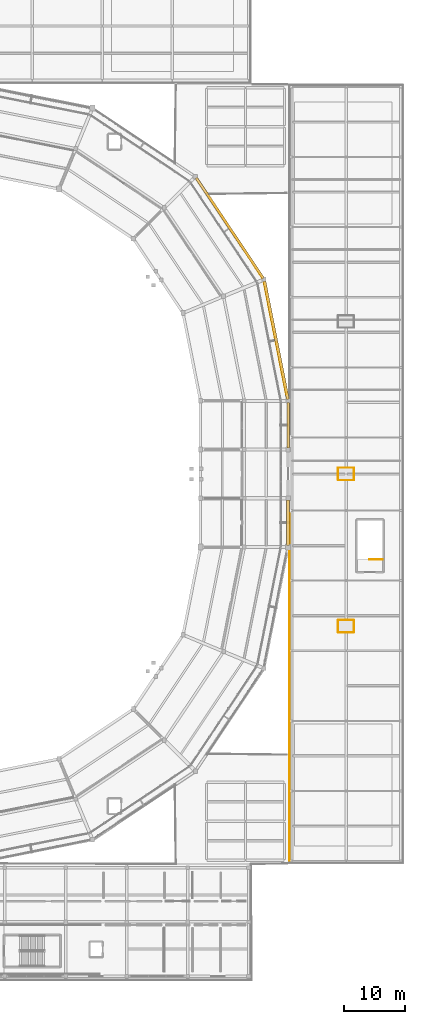
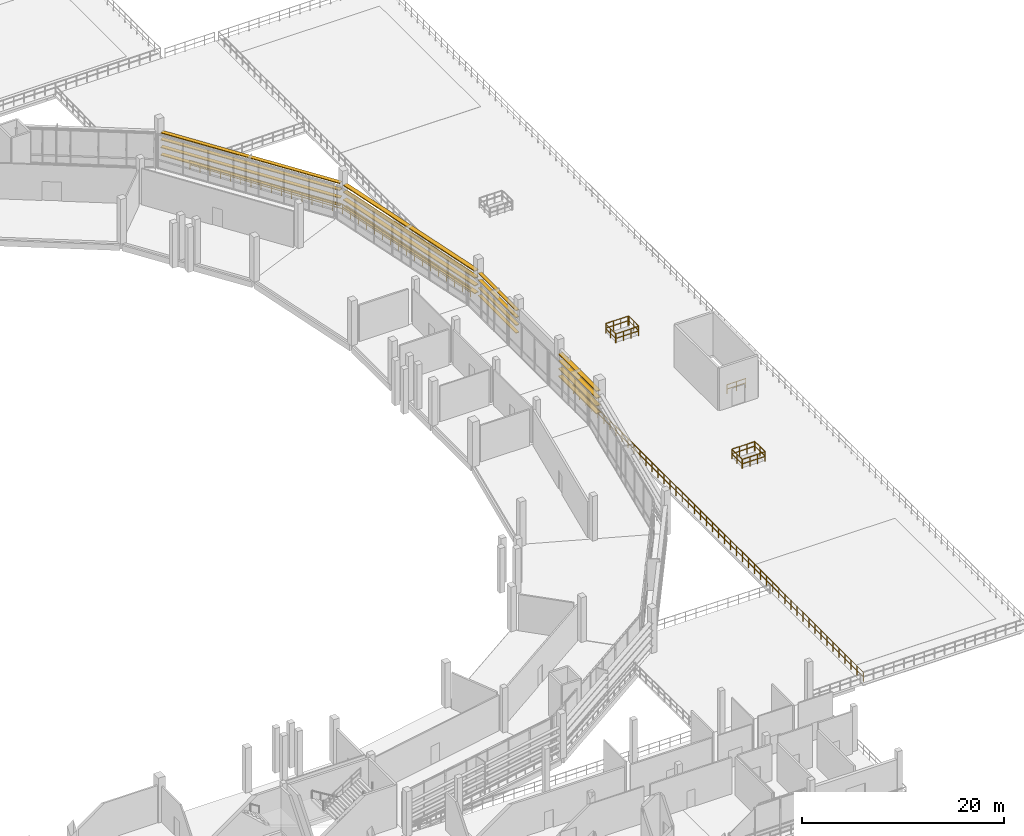
# One storey, part 102 of 111: 16 shading devices, 12 railings.
"""IFC4 building model written with IfcOpenShell, lengths in metres."""

from ifc_helpers import new_model, si_unit, direction, frame, origin, origin_2d, place, context, subcontext, project, spatial, rectangle, circle, extrude, material, layer, layer_set, type_object, element, save


model = new_model("IFC4")

# Units and contexts
model_context = context("Model", 3, precision=1e-05, world=origin(), true_north=direction((0.0, 1.0)))
body_context = subcontext(model_context, "Body", "Model", "MODEL_VIEW")
ifc_project = project(units=[si_unit("LENGTHUNIT", "METRE"), si_unit("AREAUNIT", "SQUARE_METRE"), si_unit("VOLUMEUNIT", "CUBIC_METRE"), si_unit("PLANEANGLEUNIT", "RADIAN"), si_unit("MASSUNIT", "GRAM", prefix="KILO")], contexts=[model_context])

# Site, building, storey
site_placement = place(None, origin())
site = spatial("IfcSite", under=ifc_project, at=site_placement, CompositionType="ELEMENT")
building_placement = place(site_placement, origin())
building = spatial("IfcBuilding", under=site, at=building_placement, Name="Candeia Ridge Stadium", CompositionType="ELEMENT")
storey_placement = place(building_placement, frame((0.0, 0.0, 16.199951171875)))
storey = spatial("IfcBuildingStorey", under=building, at=storey_placement, Name="L03", CompositionType="ELEMENT", Elevation=16.199951171875)

# Railings
ifc_material_1 = material(Name="Laminated Glass & Stainless Steel", Category="steel")
ifc_layer_1 = layer(ifc_material_1, 0.080078125, Name="Laminated Glass & Stainless Steel", Category="steel")
ifc_layer_set_1 = layer_set([ifc_layer_1], Name="Laminated Glass & Stainless Steel")
railing_type_1 = type_object("IfcRailingType", Name="Planted Terrace Glass-Steel Guard 1150", PredefinedType="BALUSTRADE", material=ifc_layer_set_1)
railing_1_placement = place(storey_placement, frame((201.22998046875, 56.97998046875, 0.0)))
element("IfcRailing", 1, at=railing_1_placement, inside=storey, type_object=railing_type_1, Name="Skylight perimeter safety balustrade GR-SKY-01-1", PredefinedType="BALUSTRADE", context=body_context, shape_type="SweptSolid", body=[
    extrude(circle(Radius=0.02392578125, at=origin_2d()), frame((0.0, 0.0, 1.1259765625), z_axis=(1.0, 0.0, 0.0), x_axis=(0.0, 1.0, 0.0)), (0.0, 0.0, 1.0), 2.5400390625),
    extrude(circle(Radius=0.02392578125, at=origin_2d()), frame((0.0, 0.0, 0.574951171875), z_axis=(1.0, 0.0, 0.0), x_axis=(0.0, 1.0, 0.0)), (0.0, 0.0, 1.0), 2.5400390625),
    extrude(circle(Radius=0.02099609375, at=origin_2d()), origin(), (0.0, 0.0, 1.0), 1.101806640625),
    extrude(circle(Radius=0.02099609375, at=origin_2d()), frame((0.8466796875, 0.0, 0.0)), (0.0, 0.0, 1.0), 1.101806640625),
    extrude(circle(Radius=0.02099609375, at=origin_2d()), frame((1.693359375, 0.0, 0.0)), (0.0, 0.0, 1.0), 1.101806640625),
    extrude(circle(Radius=0.02099609375, at=origin_2d()), frame((2.5400390625, 0.0, 0.0)), (0.0, 0.0, 1.0), 1.101806640625),
])
railing_2_placement = place(storey_placement, frame((203.820068359375, 57.030029296875, 0.0)))
element("IfcRailing", 2, at=railing_2_placement, inside=storey, type_object=railing_type_1, Name="Skylight perimeter safety balustrade GR-SKY-01-2", PredefinedType="BALUSTRADE", context=body_context, shape_type="SweptSolid", body=[
    extrude(circle(Radius=0.02392578125, at=origin_2d()), frame((0.0, 0.0, 1.1259765625), z_axis=(0.0, 1.0, 0.0), x_axis=(-1.0, 0.0, 0.0)), (0.0, 0.0, 1.0), 1.93994140625),
    extrude(circle(Radius=0.02392578125, at=origin_2d()), frame((0.0, 0.0, 0.574951171875), z_axis=(0.0, 1.0, 0.0), x_axis=(-1.0, 0.0, 0.0)), (0.0, 0.0, 1.0), 1.93994140625),
    extrude(circle(Radius=0.02099609375, at=origin_2d()), origin(), (0.0, 0.0, 1.0), 1.101806640625),
    extrude(circle(Radius=0.02099609375, at=origin_2d()), frame((0.0, 0.969970703125, 0.0)), (0.0, 0.0, 1.0), 1.101806640625),
    extrude(circle(Radius=0.02099609375, at=origin_2d()), frame((0.0, 1.93994140625, 0.0)), (0.0, 0.0, 1.0), 1.101806640625),
])
railing_3_placement = place(storey_placement, frame((203.77001953125, 59.02001953125, 0.0)))
element("IfcRailing", 3, at=railing_3_placement, inside=storey, type_object=railing_type_1, Name="Skylight perimeter safety balustrade GR-SKY-01-3", PredefinedType="BALUSTRADE", context=body_context, shape_type="SweptSolid", body=[
    extrude(circle(Radius=0.02392578125, at=origin_2d()), frame((0.0, 0.0, 1.1259765625), z_axis=(-1.0, 0.0, 0.0), x_axis=(0.0, -1.0, 0.0)), (0.0, 0.0, 1.0), 2.5400390625),
    extrude(circle(Radius=0.02392578125, at=origin_2d()), frame((0.0, 0.0, 0.574951171875), z_axis=(-1.0, 0.0, 0.0), x_axis=(0.0, -1.0, 0.0)), (0.0, 0.0, 1.0), 2.5400390625),
    extrude(circle(Radius=0.02099609375, at=origin_2d()), origin(), (0.0, 0.0, 1.0), 1.101806640625),
    extrude(circle(Radius=0.02099609375, at=origin_2d()), frame((-0.8466796875, 0.0, 0.0)), (0.0, 0.0, 1.0), 1.101806640625),
    extrude(circle(Radius=0.02099609375, at=origin_2d()), frame((-1.693359375, 0.0, 0.0)), (0.0, 0.0, 1.0), 1.101806640625),
    extrude(circle(Radius=0.02099609375, at=origin_2d()), frame((-2.5400390625, 0.0, 0.0)), (0.0, 0.0, 1.0), 1.101806640625),
])
railing_4_placement = place(storey_placement, frame((201.179931640625, 58.969970703125, 0.0)))
element("IfcRailing", 4, at=railing_4_placement, inside=storey, type_object=railing_type_1, Name="Skylight perimeter safety balustrade GR-SKY-01-4", PredefinedType="BALUSTRADE", context=body_context, shape_type="SweptSolid", body=[
    extrude(circle(Radius=0.02392578125, at=origin_2d()), frame((0.0, 0.0, 1.1259765625), z_axis=(0.0, -1.0, 0.0), x_axis=(1.0, 0.0, 0.0)), (0.0, 0.0, 1.0), 1.93994140625),
    extrude(circle(Radius=0.02392578125, at=origin_2d()), frame((0.0, 0.0, 0.574951171875), z_axis=(0.0, -1.0, 0.0), x_axis=(1.0, 0.0, 0.0)), (0.0, 0.0, 1.0), 1.93994140625),
    extrude(circle(Radius=0.02099609375, at=origin_2d()), origin(), (0.0, 0.0, 1.0), 1.101806640625),
    extrude(circle(Radius=0.02099609375, at=origin_2d()), frame((0.0, -0.969970703125, 0.0)), (0.0, 0.0, 1.0), 1.101806640625),
    extrude(circle(Radius=0.02099609375, at=origin_2d()), frame((0.0, -1.93994140625, 0.0)), (0.0, 0.0, 1.0), 1.101806640625),
])
railing_5_placement = place(storey_placement, frame((201.22998046875, 81.97998046875, 0.0)))
element("IfcRailing", 5, at=railing_5_placement, inside=storey, type_object=railing_type_1, Name="Skylight perimeter safety balustrade GR-SKY-02-1", PredefinedType="BALUSTRADE", context=body_context, shape_type="SweptSolid", body=[
    extrude(circle(Radius=0.02392578125, at=origin_2d()), frame((0.0, 0.0, 1.1259765625), z_axis=(1.0, 0.0, 0.0), x_axis=(0.0, 1.0, 0.0)), (0.0, 0.0, 1.0), 2.5400390625),
    extrude(circle(Radius=0.02392578125, at=origin_2d()), frame((0.0, 0.0, 0.574951171875), z_axis=(1.0, 0.0, 0.0), x_axis=(0.0, 1.0, 0.0)), (0.0, 0.0, 1.0), 2.5400390625),
    extrude(circle(Radius=0.02099609375, at=origin_2d()), origin(), (0.0, 0.0, 1.0), 1.101806640625),
    extrude(circle(Radius=0.02099609375, at=origin_2d()), frame((0.8466796875, 0.0, 0.0)), (0.0, 0.0, 1.0), 1.101806640625),
    extrude(circle(Radius=0.02099609375, at=origin_2d()), frame((1.693359375, 0.0, 0.0)), (0.0, 0.0, 1.0), 1.101806640625),
    extrude(circle(Radius=0.02099609375, at=origin_2d()), frame((2.5400390625, 0.0, 0.0)), (0.0, 0.0, 1.0), 1.101806640625),
])
railing_6_placement = place(storey_placement, frame((203.820068359375, 82.030029296875, 0.0)))
element("IfcRailing", 6, at=railing_6_placement, inside=storey, type_object=railing_type_1, Name="Skylight perimeter safety balustrade GR-SKY-02-2", PredefinedType="BALUSTRADE", context=body_context, shape_type="SweptSolid", body=[
    extrude(circle(Radius=0.02392578125, at=origin_2d()), frame((0.0, 0.0, 1.1259765625), z_axis=(0.0, 1.0, 0.0), x_axis=(-1.0, 0.0, 0.0)), (0.0, 0.0, 1.0), 1.93994140625),
    extrude(circle(Radius=0.02392578125, at=origin_2d()), frame((0.0, 0.0, 0.574951171875), z_axis=(0.0, 1.0, 0.0), x_axis=(-1.0, 0.0, 0.0)), (0.0, 0.0, 1.0), 1.93994140625),
    extrude(circle(Radius=0.02099609375, at=origin_2d()), origin(), (0.0, 0.0, 1.0), 1.101806640625),
    extrude(circle(Radius=0.02099609375, at=origin_2d()), frame((0.0, 0.969970703125, 0.0)), (0.0, 0.0, 1.0), 1.101806640625),
    extrude(circle(Radius=0.02099609375, at=origin_2d()), frame((0.0, 1.93994140625, 0.0)), (0.0, 0.0, 1.0), 1.101806640625),
])
railing_7_placement = place(storey_placement, frame((203.77001953125, 84.02001953125, 0.0)))
element("IfcRailing", 7, at=railing_7_placement, inside=storey, type_object=railing_type_1, Name="Skylight perimeter safety balustrade GR-SKY-02-3", PredefinedType="BALUSTRADE", context=body_context, shape_type="SweptSolid", body=[
    extrude(circle(Radius=0.02392578125, at=origin_2d()), frame((0.0, 0.0, 1.1259765625), z_axis=(-1.0, 0.0, 0.0), x_axis=(0.0, -1.0, 0.0)), (0.0, 0.0, 1.0), 2.5400390625),
    extrude(circle(Radius=0.02392578125, at=origin_2d()), frame((0.0, 0.0, 0.574951171875), z_axis=(-1.0, 0.0, 0.0), x_axis=(0.0, -1.0, 0.0)), (0.0, 0.0, 1.0), 2.5400390625),
    extrude(circle(Radius=0.02099609375, at=origin_2d()), origin(), (0.0, 0.0, 1.0), 1.101806640625),
    extrude(circle(Radius=0.02099609375, at=origin_2d()), frame((-0.8466796875, 0.0, 0.0)), (0.0, 0.0, 1.0), 1.101806640625),
    extrude(circle(Radius=0.02099609375, at=origin_2d()), frame((-1.693359375, 0.0, 0.0)), (0.0, 0.0, 1.0), 1.101806640625),
    extrude(circle(Radius=0.02099609375, at=origin_2d()), frame((-2.5400390625, 0.0, 0.0)), (0.0, 0.0, 1.0), 1.101806640625),
])
railing_8_placement = place(storey_placement, frame((201.179931640625, 83.969970703125, 0.0)))
element("IfcRailing", 8, at=railing_8_placement, inside=storey, type_object=railing_type_1, Name="Skylight perimeter safety balustrade GR-SKY-02-4", PredefinedType="BALUSTRADE", context=body_context, shape_type="SweptSolid", body=[
    extrude(circle(Radius=0.02392578125, at=origin_2d()), frame((0.0, 0.0, 1.1259765625), z_axis=(0.0, -1.0, 0.0), x_axis=(1.0, 0.0, 0.0)), (0.0, 0.0, 1.0), 1.93994140625),
    extrude(circle(Radius=0.02392578125, at=origin_2d()), frame((0.0, 0.0, 0.574951171875), z_axis=(0.0, -1.0, 0.0), x_axis=(1.0, 0.0, 0.0)), (0.0, 0.0, 1.0), 1.93994140625),
    extrude(circle(Radius=0.02099609375, at=origin_2d()), origin(), (0.0, 0.0, 1.0), 1.101806640625),
    extrude(circle(Radius=0.02099609375, at=origin_2d()), frame((0.0, -0.969970703125, 0.0)), (0.0, 0.0, 1.0), 1.101806640625),
    extrude(circle(Radius=0.02099609375, at=origin_2d()), frame((0.0, -1.93994140625, 0.0)), (0.0, 0.0, 1.0), 1.101806640625),
])
railing_9_placement = place(storey_placement, frame((193.199951171875, 19.199951171875, 0.0)))
element("IfcRailing", 9, at=railing_9_placement, inside=storey, type_object=railing_type_1, Name="Terrace perimeter balustrade GR-TER-184", PredefinedType="BALUSTRADE", context=body_context, shape_type="SweptSolid", body=[
    extrude(circle(Radius=0.02392578125, at=origin_2d()), frame((0.0, 0.0, 1.1259765625), z_axis=(0.0, 1.0, 0.0), x_axis=(-1.0, 0.0, 0.0)), (0.0, 0.0, 1.0), 57.300048828125),
    extrude(circle(Radius=0.02392578125, at=origin_2d()), frame((0.0, 0.0, 0.574951171875), z_axis=(0.0, 1.0, 0.0), x_axis=(-1.0, 0.0, 0.0)), (0.0, 0.0, 1.0), 57.300048828125),
    extrude(circle(Radius=0.02099609375, at=origin_2d()), origin(), (0.0, 0.0, 1.0), 1.101806640625),
    extrude(circle(Radius=0.02099609375, at=origin_2d()), frame((0.0, 1.19384765625, 0.0)), (0.0, 0.0, 1.0), 1.101806640625),
    extrude(circle(Radius=0.02099609375, at=origin_2d()), frame((0.0, 2.387451171875, 0.0)), (0.0, 0.0, 1.0), 1.101806640625),
    extrude(circle(Radius=0.02099609375, at=origin_2d()), frame((0.0, 3.581298828125, 0.0)), (0.0, 0.0, 1.0), 1.101806640625),
    extrude(circle(Radius=0.02099609375, at=origin_2d()), frame((0.0, 4.77490234375, 0.0)), (0.0, 0.0, 1.0), 1.101806640625),
    extrude(circle(Radius=0.02099609375, at=origin_2d()), frame((0.0, 5.96875, 0.0)), (0.0, 0.0, 1.0), 1.101806640625),
    extrude(circle(Radius=0.02099609375, at=origin_2d()), frame((0.0, 7.16259765625, 0.0)), (0.0, 0.0, 1.0), 1.101806640625),
    extrude(circle(Radius=0.02099609375, at=origin_2d()), frame((0.0, 8.356201171875, 0.0)), (0.0, 0.0, 1.0), 1.101806640625),
    extrude(circle(Radius=0.02099609375, at=origin_2d()), frame((0.0, 9.550048828125, 0.0)), (0.0, 0.0, 1.0), 1.101806640625),
    extrude(circle(Radius=0.02099609375, at=origin_2d()), frame((0.0, 10.74365234375, 0.0)), (0.0, 0.0, 1.0), 1.101806640625),
    extrude(circle(Radius=0.02099609375, at=origin_2d()), frame((0.0, 11.9375, 0.0)), (0.0, 0.0, 1.0), 1.101806640625),
    extrude(circle(Radius=0.02099609375, at=origin_2d()), frame((0.0, 13.13134765625, 0.0)), (0.0, 0.0, 1.0), 1.101806640625),
    extrude(circle(Radius=0.02099609375, at=origin_2d()), frame((0.0, 14.324951171875, 0.0)), (0.0, 0.0, 1.0), 1.101806640625),
    extrude(circle(Radius=0.02099609375, at=origin_2d()), frame((0.0, 15.518798828125, 0.0)), (0.0, 0.0, 1.0), 1.101806640625),
    extrude(circle(Radius=0.02099609375, at=origin_2d()), frame((0.0, 16.71240234375, 0.0)), (0.0, 0.0, 1.0), 1.101806640625),
    extrude(circle(Radius=0.02099609375, at=origin_2d()), frame((0.0, 17.90625, 0.0)), (0.0, 0.0, 1.0), 1.101806640625),
    extrude(circle(Radius=0.02099609375, at=origin_2d()), frame((0.0, 19.10009765625, 0.0)), (0.0, 0.0, 1.0), 1.101806640625),
    extrude(circle(Radius=0.02099609375, at=origin_2d()), frame((0.0, 20.293701171875, 0.0)), (0.0, 0.0, 1.0), 1.101806640625),
    extrude(circle(Radius=0.02099609375, at=origin_2d()), frame((0.0, 21.487548828125, 0.0)), (0.0, 0.0, 1.0), 1.101806640625),
    extrude(circle(Radius=0.02099609375, at=origin_2d()), frame((0.0, 22.68115234375, 0.0)), (0.0, 0.0, 1.0), 1.101806640625),
    extrude(circle(Radius=0.02099609375, at=origin_2d()), frame((0.0, 23.875, 0.0)), (0.0, 0.0, 1.0), 1.101806640625),
    extrude(circle(Radius=0.02099609375, at=origin_2d()), frame((0.0, 25.06884765625, 0.0)), (0.0, 0.0, 1.0), 1.101806640625),
    extrude(circle(Radius=0.02099609375, at=origin_2d()), frame((0.0, 26.262451171875, 0.0)), (0.0, 0.0, 1.0), 1.101806640625),
    extrude(circle(Radius=0.02099609375, at=origin_2d()), frame((0.0, 27.456298828125, 0.0)), (0.0, 0.0, 1.0), 1.101806640625),
    extrude(circle(Radius=0.02099609375, at=origin_2d()), frame((0.0, 28.64990234375, 0.0)), (0.0, 0.0, 1.0), 1.101806640625),
    extrude(circle(Radius=0.02099609375, at=origin_2d()), frame((0.0, 29.84375, 0.0)), (0.0, 0.0, 1.0), 1.101806640625),
    extrude(circle(Radius=0.02099609375, at=origin_2d()), frame((0.0, 31.03759765625, 0.0)), (0.0, 0.0, 1.0), 1.101806640625),
    extrude(circle(Radius=0.02099609375, at=origin_2d()), frame((0.0, 32.231201171875, 0.0)), (0.0, 0.0, 1.0), 1.101806640625),
    extrude(circle(Radius=0.02099609375, at=origin_2d()), frame((0.0, 33.425048828125, 0.0)), (0.0, 0.0, 1.0), 1.101806640625),
    extrude(circle(Radius=0.02099609375, at=origin_2d()), frame((0.0, 34.618896484375, 0.0)), (0.0, 0.0, 1.0), 1.101806640625),
    extrude(circle(Radius=0.02099609375, at=origin_2d()), frame((0.0, 35.8125, 0.0)), (0.0, 0.0, 1.0), 1.101806640625),
    extrude(circle(Radius=0.02099609375, at=origin_2d()), frame((0.0, 37.00634765625, 0.0)), (0.0, 0.0, 1.0), 1.101806640625),
    extrude(circle(Radius=0.02099609375, at=origin_2d()), frame((0.0, 38.199951171875, 0.0)), (0.0, 0.0, 1.0), 1.101806640625),
    extrude(circle(Radius=0.02099609375, at=origin_2d()), frame((0.0, 39.393798828125, 0.0)), (0.0, 0.0, 1.0), 1.101806640625),
    extrude(circle(Radius=0.02099609375, at=origin_2d()), frame((0.0, 40.587646484375, 0.0)), (0.0, 0.0, 1.0), 1.101806640625),
    extrude(circle(Radius=0.02099609375, at=origin_2d()), frame((0.0, 41.78125, 0.0)), (0.0, 0.0, 1.0), 1.101806640625),
    extrude(circle(Radius=0.02099609375, at=origin_2d()), frame((0.0, 42.97509765625, 0.0)), (0.0, 0.0, 1.0), 1.101806640625),
    extrude(circle(Radius=0.02099609375, at=origin_2d()), frame((0.0, 44.168701171875, 0.0)), (0.0, 0.0, 1.0), 1.101806640625),
    extrude(circle(Radius=0.02099609375, at=origin_2d()), frame((0.0, 45.362548828125, 0.0)), (0.0, 0.0, 1.0), 1.101806640625),
    extrude(circle(Radius=0.02099609375, at=origin_2d()), frame((0.0, 46.556396484375, 0.0)), (0.0, 0.0, 1.0), 1.101806640625),
    extrude(circle(Radius=0.02099609375, at=origin_2d()), frame((0.0, 47.75, 0.0)), (0.0, 0.0, 1.0), 1.101806640625),
    extrude(circle(Radius=0.02099609375, at=origin_2d()), frame((0.0, 48.94384765625, 0.0)), (0.0, 0.0, 1.0), 1.101806640625),
    extrude(circle(Radius=0.02099609375, at=origin_2d()), frame((0.0, 50.137451171875, 0.0)), (0.0, 0.0, 1.0), 1.101806640625),
    extrude(circle(Radius=0.02099609375, at=origin_2d()), frame((0.0, 51.331298828125, 0.0)), (0.0, 0.0, 1.0), 1.101806640625),
    extrude(circle(Radius=0.02099609375, at=origin_2d()), frame((0.0, 52.525146484375, 0.0)), (0.0, 0.0, 1.0), 1.101806640625),
    extrude(circle(Radius=0.02099609375, at=origin_2d()), frame((0.0, 53.71875, 0.0)), (0.0, 0.0, 1.0), 1.101806640625),
    extrude(circle(Radius=0.02099609375, at=origin_2d()), frame((0.0, 54.91259765625, 0.0)), (0.0, 0.0, 1.0), 1.101806640625),
    extrude(circle(Radius=0.02099609375, at=origin_2d()), frame((0.0, 56.106201171875, 0.0)), (0.0, 0.0, 1.0), 1.101806640625),
    extrude(circle(Radius=0.02099609375, at=origin_2d()), frame((0.0, 57.300048828125, 0.0)), (0.0, 0.0, 1.0), 1.101806640625),
])
ifc_material_2 = material(Name="Galvanized Powder-Coated Steel", Category="steel")
ifc_layer_2 = layer(ifc_material_2, 0.074951171875, Name="Galvanized Powder-Coated Steel", Category="steel")
ifc_layer_set_2 = layer_set([ifc_layer_2], Name="Galvanized Powder-Coated Steel")
railing_type_2 = type_object("IfcRailingType", Name="Spectator Bowl Front Guardrail 1120", PredefinedType="GUARDRAIL", material=ifc_layer_set_2)
railing_10_placement = place(storey_placement, frame((179.686767578125, 129.04443359375, 0.0)))
element("IfcRailing", 10, at=railing_10_placement, inside=storey, type_object=railing_type_2, Name="Deck edge safety guardrail GR-DE-L03-0157", PredefinedType="GUARDRAIL", context=body_context, shape_type="SweptSolid", body=[
    extrude(circle(Radius=0.02392578125, at=origin_2d()), frame((0.0, 0.0, 1.09619140625), z_axis=(0.547972672169, -0.836496234634, 0.0), x_axis=(0.836496234634, 0.547972672169, 0.0)), (0.0, 0.0, 1.0), 16.928466796875),
    extrude(circle(Radius=0.02392578125, at=origin_2d()), frame((0.0, 0.0, 0.56005859375), z_axis=(0.547972672169, -0.836496234634, 0.0), x_axis=(0.836496234634, 0.547972672169, 0.0)), (0.0, 0.0, 1.0), 16.928466796875),
    extrude(circle(Radius=0.02099609375, at=origin_2d()), origin(), (0.0, 0.0, 1.0), 1.072021484375),
    extrude(circle(Radius=0.02099609375, at=origin_2d()), frame((0.618408203125, -0.944091796875, 0.0)), (0.0, 0.0, 1.0), 1.072021484375),
    extrude(circle(Radius=0.02099609375, at=origin_2d()), frame((1.23681640625, -1.88818359375, 0.0)), (0.0, 0.0, 1.0), 1.072021484375),
    extrude(circle(Radius=0.02099609375, at=origin_2d()), frame((1.855224609375, -2.83203125, 0.0)), (0.0, 0.0, 1.0), 1.072021484375),
    extrude(circle(Radius=0.02099609375, at=origin_2d()), frame((2.4736328125, -3.776123046875, 0.0)), (0.0, 0.0, 1.0), 1.072021484375),
    extrude(circle(Radius=0.02099609375, at=origin_2d()), frame((3.092041015625, -4.72021484375, 0.0)), (0.0, 0.0, 1.0), 1.072021484375),
    extrude(circle(Radius=0.02099609375, at=origin_2d()), frame((3.71044921875, -5.664306640625, 0.0)), (0.0, 0.0, 1.0), 1.072021484375),
    extrude(circle(Radius=0.02099609375, at=origin_2d()), frame((4.328857421875, -6.6083984375, 0.0)), (0.0, 0.0, 1.0), 1.072021484375),
    extrude(circle(Radius=0.02099609375, at=origin_2d()), frame((4.947509765625, -7.55224609375, 0.0)), (0.0, 0.0, 1.0), 1.072021484375),
    extrude(circle(Radius=0.02099609375, at=origin_2d()), frame((5.56591796875, -8.496337890625, 0.0)), (0.0, 0.0, 1.0), 1.072021484375),
    extrude(circle(Radius=0.02099609375, at=origin_2d()), frame((6.184326171875, -9.4404296875, 0.0)), (0.0, 0.0, 1.0), 1.072021484375),
    extrude(circle(Radius=0.02099609375, at=origin_2d()), frame((6.802734375, -10.384521484375, 0.0)), (0.0, 0.0, 1.0), 1.072021484375),
    extrude(circle(Radius=0.02099609375, at=origin_2d()), frame((7.421142578125, -11.32861328125, 0.0)), (0.0, 0.0, 1.0), 1.072021484375),
    extrude(circle(Radius=0.02099609375, at=origin_2d()), frame((8.03955078125, -12.2724609375, 0.0)), (0.0, 0.0, 1.0), 1.072021484375),
    extrude(circle(Radius=0.02099609375, at=origin_2d()), frame((8.657958984375, -13.216552734375, 0.0)), (0.0, 0.0, 1.0), 1.072021484375),
    extrude(circle(Radius=0.02099609375, at=origin_2d()), frame((9.2763671875, -14.16064453125, 0.0)), (0.0, 0.0, 1.0), 1.072021484375),
])
railing_11_placement = place(storey_placement, frame((188.963134765625, 114.8837890625, 0.0)))
element("IfcRailing", 11, at=railing_11_placement, inside=storey, type_object=railing_type_2, Name="Deck edge safety guardrail GR-DE-L03-0158", PredefinedType="GUARDRAIL", context=body_context, shape_type="SweptSolid", body=[
    extrude(circle(Radius=0.02392578125, at=origin_2d()), frame((0.0, 0.0, 1.09619140625), z_axis=(0.195091839133, -0.980784978629, 0.0), x_axis=(0.980784978629, 0.195091839133, 0.0)), (0.0, 0.0, 1.0), 19.16162109375),
    extrude(circle(Radius=0.02392578125, at=origin_2d()), frame((0.0, 0.0, 0.56005859375), z_axis=(0.195091839133, -0.980784978629, 0.0), x_axis=(0.980784978629, 0.195091839133, 0.0)), (0.0, 0.0, 1.0), 19.16162109375),
    extrude(circle(Radius=0.02099609375, at=origin_2d()), origin(), (0.0, 0.0, 1.0), 1.072021484375),
    extrude(circle(Radius=0.02099609375, at=origin_2d()), frame((0.233642578125, -1.174560546875, 0.0)), (0.0, 0.0, 1.0), 1.072021484375),
    extrude(circle(Radius=0.02099609375, at=origin_2d()), frame((0.46728515625, -2.34912109375, 0.0)), (0.0, 0.0, 1.0), 1.072021484375),
    extrude(circle(Radius=0.02099609375, at=origin_2d()), frame((0.700927734375, -3.523681640625, 0.0)), (0.0, 0.0, 1.0), 1.072021484375),
    extrude(circle(Radius=0.02099609375, at=origin_2d()), frame((0.9345703125, -4.6982421875, 0.0)), (0.0, 0.0, 1.0), 1.072021484375),
    extrude(circle(Radius=0.02099609375, at=origin_2d()), frame((1.168212890625, -5.873046875, 0.0)), (0.0, 0.0, 1.0), 1.072021484375),
    extrude(circle(Radius=0.02099609375, at=origin_2d()), frame((1.40185546875, -7.047607421875, 0.0)), (0.0, 0.0, 1.0), 1.072021484375),
    extrude(circle(Radius=0.02099609375, at=origin_2d()), frame((1.635498046875, -8.22216796875, 0.0)), (0.0, 0.0, 1.0), 1.072021484375),
    extrude(circle(Radius=0.02099609375, at=origin_2d()), frame((1.869140625, -9.396728515625, 0.0)), (0.0, 0.0, 1.0), 1.072021484375),
    extrude(circle(Radius=0.02099609375, at=origin_2d()), frame((2.102783203125, -10.5712890625, 0.0)), (0.0, 0.0, 1.0), 1.072021484375),
    extrude(circle(Radius=0.02099609375, at=origin_2d()), frame((2.33642578125, -11.745849609375, 0.0)), (0.0, 0.0, 1.0), 1.072021484375),
    extrude(circle(Radius=0.02099609375, at=origin_2d()), frame((2.570068359375, -12.92041015625, 0.0)), (0.0, 0.0, 1.0), 1.072021484375),
    extrude(circle(Radius=0.02099609375, at=origin_2d()), frame((2.8037109375, -14.09521484375, 0.0)), (0.0, 0.0, 1.0), 1.072021484375),
    extrude(circle(Radius=0.02099609375, at=origin_2d()), frame((3.037353515625, -15.269775390625, 0.0)), (0.0, 0.0, 1.0), 1.072021484375),
    extrude(circle(Radius=0.02099609375, at=origin_2d()), frame((3.27099609375, -16.4443359375, 0.0)), (0.0, 0.0, 1.0), 1.072021484375),
    extrude(circle(Radius=0.02099609375, at=origin_2d()), frame((3.504638671875, -17.618896484375, 0.0)), (0.0, 0.0, 1.0), 1.072021484375),
    extrude(circle(Radius=0.02099609375, at=origin_2d()), frame((3.73828125, -18.79345703125, 0.0)), (0.0, 0.0, 1.0), 1.072021484375),
])
ifc_layer_3 = layer(ifc_material_2, 0.06005859375, Name="Galvanized Powder-Coated Steel", Category="steel")
ifc_layer_set_3 = layer_set([ifc_layer_3], Name="Galvanized Powder-Coated Steel")
railing_type_3 = type_object("IfcRailingType", Name="Stair Well Guardrail 1100", PredefinedType="GUARDRAIL", material=ifc_layer_set_3)
railing_12_placement = place(storey_placement, frame((208.5, 68.949951171875, 0.0)))
element("IfcRailing", 12, at=railing_12_placement, inside=storey, type_object=railing_type_3, Name="L03 ST16 top well guard 1", PredefinedType="GUARDRAIL", context=body_context, shape_type="SweptSolid", body=[
    extrude(circle(Radius=0.02392578125, at=origin_2d()), frame((0.0, 0.0, 1.076171875), z_axis=(-1.0, 0.0, 0.0), x_axis=(0.0, -1.0, 0.0)), (0.0, 0.0, 1.0), 2.14990234375),
    extrude(circle(Radius=0.02392578125, at=origin_2d()), frame((0.0, 0.0, 0.550048828125), z_axis=(-1.0, 0.0, 0.0), x_axis=(0.0, -1.0, 0.0)), (0.0, 0.0, 1.0), 2.14990234375),
    extrude(circle(Radius=0.02099609375, at=origin_2d()), origin(), (0.0, 0.0, 1.0), 1.052001953125),
    extrude(circle(Radius=0.02099609375, at=origin_2d()), frame((-1.074951171875, 0.0, 0.0)), (0.0, 0.0, 1.0), 1.052001953125),
    extrude(circle(Radius=0.02099609375, at=origin_2d()), frame((-2.14990234375, 0.0, 0.0)), (0.0, 0.0, 1.0), 1.052001953125),
])

# Shading devices
ifc_material_3 = material(Name="Aluminium Anodized Warm Bronze", Category="aluminium")
shading_device_type_1 = type_object("IfcShadingDeviceType", Name="Weathered Bronze Horizontal Solar Rib 380x85", PredefinedType="JALOUSIE", material=ifc_material_3)
for number, where, z_axis, x_axis, name in (
    (13, (193.0, 91.0, 0.891357421875), (0.0, 0.0, 1.0), (0.0, 1.0, 0.0), "Weathered bronze horizontal solar rib L03 bay 32-1"),
    (14, (193.0, 91.0, 1.825439453125), (0.0, 0.0, 1.0), (0.0, 1.0, 0.0), "Weathered bronze horizontal solar rib L03 bay 32-2"),
    (15, (193.0, 91.0, 2.75927734375), (0.0, 0.0, 1.0), (0.0, 1.0, 0.0), "Weathered bronze horizontal solar rib L03 bay 32-3"),
    (16, (193.0, 91.0, 3.608154296875), (0.0, 0.0, 1.0), (0.0, 1.0, 0.0), "Weathered bronze horizontal solar rib L03 bay 32-4"),
):
    element("IfcShadingDevice", number, at=place(storey_placement, frame(where, z_axis=z_axis, x_axis=x_axis)), inside=storey, type_object=shading_device_type_1, Name=name, PredefinedType="JALOUSIE", context=body_context, shape_type="SweptSolid", body=[
        extrude(rectangle(XDim=7.5, YDim=0.3798828125, at=origin_2d()), origin(), (0.0, 0.0, 1.0), 0.0849609375),
    ])
shading_device_type_2 = type_object("IfcShadingDeviceType", Name="Weathered Bronze Horizontal Solar Rib 440x95", PredefinedType="JALOUSIE", material=ifc_material_3)
for number, where, z_axis, x_axis, name in (
    (17, (183.40576171875, 123.33447265625, 0.87744140625), (0.0, 0.0, 1.0), (-0.555570211063, 0.831469626973, 0.0), "Weathered bronze horizontal solar rib L03 bay 34-1"),
    (18, (183.40576171875, 123.33447265625, 1.802734375), (0.0, 0.0, 1.0), (-0.555570211063, 0.831469626973, 0.0), "Weathered bronze horizontal solar rib L03 bay 34-2"),
    (19, (183.40576171875, 123.33447265625, 2.72802734375), (0.0, 0.0, 1.0), (-0.555570211063, 0.831469626973, 0.0), "Weathered bronze horizontal solar rib L03 bay 34-3"),
    (20, (183.40576171875, 123.33447265625, 3.56884765625), (0.0, 0.0, 1.0), (-0.555570211063, 0.831469626973, 0.0), "Weathered bronze horizontal solar rib L03 bay 34-4"),
):
    element("IfcShadingDevice", number, at=place(storey_placement, frame(where, z_axis=z_axis, x_axis=x_axis)), inside=storey, type_object=shading_device_type_2, Name=name, PredefinedType="JALOUSIE", context=body_context, shape_type="SweptSolid", body=[
        extrude(rectangle(XDim=19.789306640625, YDim=0.43994140625, at=origin_2d()), origin(), (0.0, 0.0, 1.0), 0.094970703125),
    ])
shading_device_type_3 = type_object("IfcShadingDeviceType", Name="Weathered Bronze Horizontal Solar Rib 500x105", PredefinedType="JALOUSIE", material=ifc_material_3)
for number, where, z_axis, x_axis, name in (
    (21, (193.0, 75.0, 0.87255859375), (0.0, 0.0, 1.0), (0.0, 1.0, 0.0), "Weathered bronze horizontal solar rib L03 bay 30-1"),
    (22, (193.0, 75.0, 1.7978515625), (0.0, 0.0, 1.0), (0.0, 1.0, 0.0), "Weathered bronze horizontal solar rib L03 bay 30-2"),
    (23, (193.0, 75.0, 2.722900390625), (0.0, 0.0, 1.0), (0.0, 1.0, 0.0), "Weathered bronze horizontal solar rib L03 bay 30-3"),
    (24, (193.0, 75.0, 3.56396484375), (0.0, 0.0, 1.0), (0.0, 1.0, 0.0), "Weathered bronze horizontal solar rib L03 bay 30-4"),
):
    element("IfcShadingDevice", number, at=place(storey_placement, frame(where, z_axis=z_axis, x_axis=x_axis)), inside=storey, type_object=shading_device_type_3, Name=name, PredefinedType="JALOUSIE", context=body_context, shape_type="SweptSolid", body=[
        extrude(rectangle(XDim=7.5, YDim=0.5, at=origin_2d()), origin(), (0.0, 0.0, 1.0), 0.10498046875),
    ])
for number, where, z_axis, x_axis, name in (
    (25, (191.020751953125, 104.94970703125, 0.87255859375), (0.0, 0.0, 1.0), (-0.195090311899, 0.980785282416, 0.0), "Weathered bronze horizontal solar rib L03 bay 33-1"),
    (26, (191.020751953125, 104.94970703125, 1.7978515625), (0.0, 0.0, 1.0), (-0.195090311899, 0.980785282416, 0.0), "Weathered bronze horizontal solar rib L03 bay 33-2"),
    (27, (191.020751953125, 104.94970703125, 2.722900390625), (0.0, 0.0, 1.0), (-0.195090311899, 0.980785282416, 0.0), "Weathered bronze horizontal solar rib L03 bay 33-3"),
    (28, (191.020751953125, 104.94970703125, 3.56396484375), (0.0, 0.0, 1.0), (-0.195090311899, 0.980785282416, 0.0), "Weathered bronze horizontal solar rib L03 bay 33-4"),
):
    element("IfcShadingDevice", number, at=place(storey_placement, frame(where, z_axis=z_axis, x_axis=x_axis)), inside=storey, type_object=shading_device_type_3, Name=name, PredefinedType="JALOUSIE", context=body_context, shape_type="SweptSolid", body=[
        extrude(rectangle(XDim=19.789306640625, YDim=0.5, at=origin_2d()), origin(), (0.0, 0.0, 1.0), 0.10498046875),
    ])

save(model, "model.ifc")
